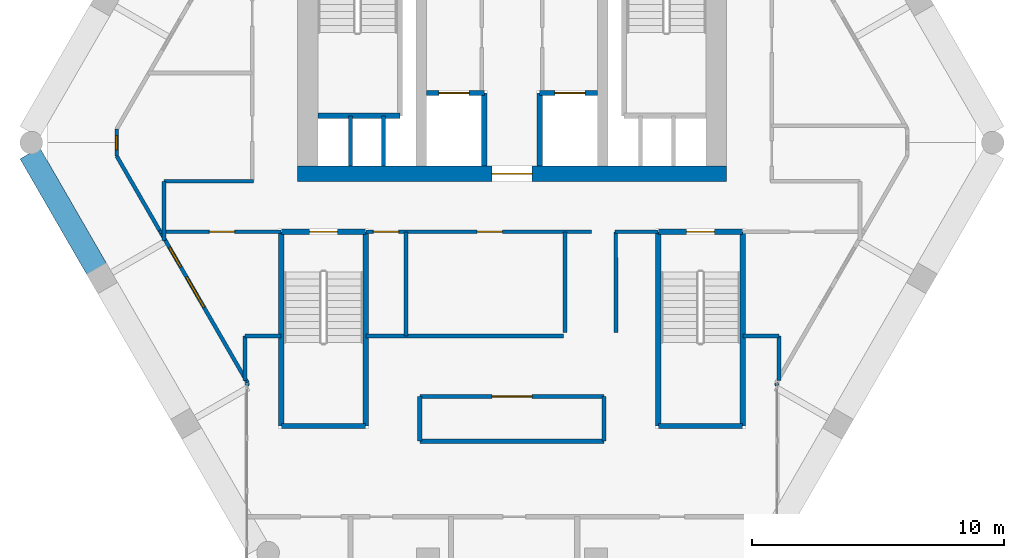
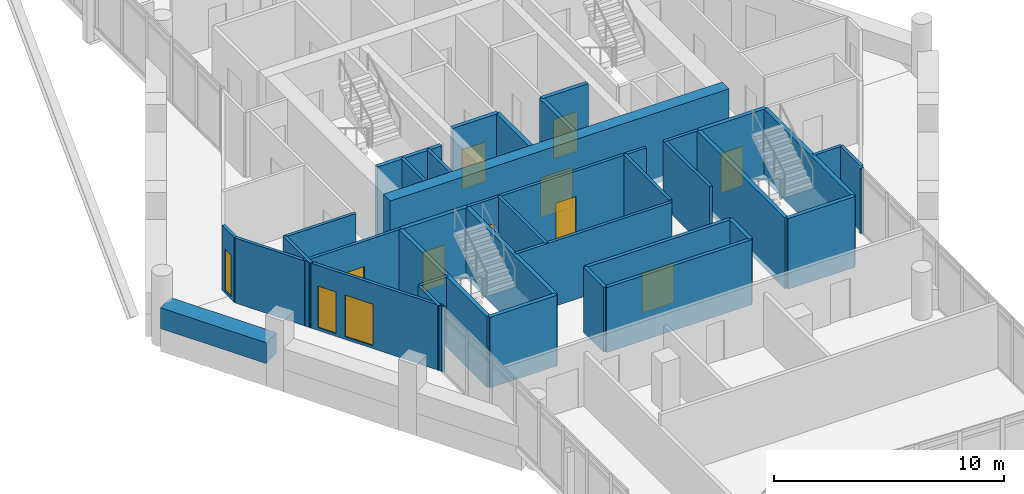
# One storey, part 29 of 34: 38 walls, 9 doors, 3 windows, 12 openings.
"""IFC4 building model written with IfcOpenShell, lengths in metres."""

import ifcopenshell
import ifcopenshell.guid

model = None  # the IFC model being written
_history = None  # IfcOwnerHistory: only IFC2X3 demands one
_inside = {}  # id of a spatial element -> (the spatial element, [elements in it])
_under = {}  # id of a project, library or spatial element -> (it, [spatial elements below it])
_declared = {}  # id of a project -> (the project, [libraries it declares])
_typed = {}  # id of a type object -> (the type object, [elements of that type])
_made_of = {}  # id of a material, layer set ... -> (it, [elements and type objects made of it])


def new_model(schema):
    """Start an empty IFC model of exactly this schema.

    Asked for "IFC4X3", IfcOpenShell would pick the latest addendum, in which some entities
    have other attributes; the version numbers below select the first issue.
    IFC2X3 requires an IfcOwnerHistory on every rooted entity: one is made here for all.
    """
    global model, _history
    if schema == "IFC4X3":
        model = ifcopenshell.file(schema_version=(4, 3, 0, 0))
    else:
        model = ifcopenshell.file(schema=schema)
    _inside.clear()
    _under.clear()
    _declared.clear()
    _typed.clear()
    _made_of.clear()
    _history = None
    if model.schema == "IFC2X3":
        org = make("IfcOrganization", Name="unknown")
        user = make(
            "IfcPersonAndOrganization",
            ThePerson=make("IfcPerson", FamilyName="unknown"),
            TheOrganization=org,
        )
        app = make(
            "IfcApplication",
            ApplicationDeveloper=org,
            Version="unknown",
            ApplicationFullName="unknown",
            ApplicationIdentifier="unknown",
        )
        _history = make(
            "IfcOwnerHistory",
            OwningUser=user,
            OwningApplication=app,
            ChangeAction="ADDED",
            CreationDate=0,
        )
    return model


def make(cls, **values):
    """One entity of the class cls with the attributes given. An attribute that is None is left unset."""
    return model.create_entity(
        cls, **{name: value for name, value in values.items() if value is not None}
    )


def rooted(cls, **values):
    """An entity with a GlobalId (a new one), such as an element, a storey or a relation."""
    return make(cls, GlobalId=ifcopenshell.guid.new(), OwnerHistory=_history, **values)


def si_unit(unit_type, name, prefix=None):
    """IfcSIUnit, for example si_unit("LENGTHUNIT", "METRE", prefix="MILLI")."""
    return make("IfcSIUnit", UnitType=unit_type, Prefix=prefix, Name=name)


def assignment(units):
    """IfcUnitAssignment: the units of a project."""
    return None if units is None else make("IfcUnitAssignment", Units=units)


def point(xyz):
    """IfcCartesianPoint."""
    return None if xyz is None else make("IfcCartesianPoint", Coordinates=xyz)


def direction(xyz):
    """IfcDirection."""
    return None if xyz is None else make("IfcDirection", DirectionRatios=xyz)


def frame(location, z_axis=None, x_axis=None):
    """IfcAxis2Placement3D, a coordinate frame: its origin and axes. An axis left out is left unset."""
    return make(
        "IfcAxis2Placement3D",
        Location=point(location),
        Axis=direction(z_axis),
        RefDirection=direction(x_axis),
    )


def frame_2d(location, x_axis=None):
    """IfcAxis2Placement2D, a coordinate frame in the plane: its origin and x axis."""
    return make(
        "IfcAxis2Placement2D", Location=point(location), RefDirection=direction(x_axis)
    )


def origin():
    """The frame at (0, 0, 0) with its axes left unset."""
    return frame((0.0, 0.0, 0.0))


def place(relative_to, where):
    """IfcLocalPlacement: puts the frame where relative to a parent placement (None: the world)."""
    return make(
        "IfcLocalPlacement", PlacementRelTo=relative_to, RelativePlacement=where
    )


def context(
    kind, dimensions, precision=None, world=None, true_north=None, identifier=None
):
    """IfcGeometricRepresentationContext, for example the 3D "Model" context."""
    return make(
        "IfcGeometricRepresentationContext",
        ContextIdentifier=identifier,
        ContextType=kind,
        CoordinateSpaceDimension=dimensions,
        Precision=precision,
        WorldCoordinateSystem=world,
        TrueNorth=true_north,
    )


def subcontext(parent, identifier, kind, view, scale=None):
    """IfcGeometricRepresentationSubContext, for example "Body" below "Model"."""
    return make(
        "IfcGeometricRepresentationSubContext",
        ContextIdentifier=identifier,
        ContextType=kind,
        ParentContext=parent,
        TargetScale=scale,
        TargetView=view,
    )


def project(units=None, contexts=None):
    """IfcProject with its units and contexts."""
    return rooted(
        "IfcProject",
        Name="project",
        RepresentationContexts=contexts,
        UnitsInContext=assignment(units),
    )


def spatial(cls, under=None, at=None, **own):
    """A site, building, storey or space (cls), placed at a placement, below another one or the project."""
    s = rooted(cls, ObjectPlacement=at, **own)
    if under is not None:
        _under.setdefault(under.id(), (under, []))[1].append(s)
    return s


def profile(cls, at=None, kind="AREA", **sizes):
    """A parametric profile (cls). Its sizes go by their IFC names, for example OverallWidth=200.0."""
    return make(cls, ProfileType=kind, Position=at, **sizes)


def rectangle(**sizes):
    """IfcRectangleProfileDef."""
    return profile("IfcRectangleProfileDef", **sizes)


def extrude(swept, where, along, depth):
    """IfcExtrudedAreaSolid: the profile swept, set in the frame where, extruded along a direction by depth."""
    return make(
        "IfcExtrudedAreaSolid",
        SweptArea=swept,
        Position=where,
        ExtrudedDirection=direction(along),
        Depth=depth,
    )


def shape(context_of_items, identifier, shape_type, items):
    """IfcShapeRepresentation: the items that make up one representation, for example the "Body"."""
    return make(
        "IfcShapeRepresentation",
        ContextOfItems=context_of_items,
        RepresentationIdentifier=identifier,
        RepresentationType=shape_type,
        Items=items,
    )


def material(Name=None, Category=None):
    """IfcMaterial."""
    return make("IfcMaterial", Name=Name, Category=Category)


def layer(
    of_material, thickness, ventilated=None, Name=None, Category=None, Priority=None
):
    """IfcMaterialLayer: one layer of a wall or slab, of a material (None: an air gap)."""
    return make(
        "IfcMaterialLayer",
        Material=of_material,
        LayerThickness=thickness,
        IsVentilated=ventilated,
        Name=Name,
        Category=Category,
        Priority=Priority,
    )


def layer_set(layers, Name=None):
    """IfcMaterialLayerSet."""
    return make("IfcMaterialLayerSet", MaterialLayers=layers, LayerSetName=Name)


def made_of(thing, what):
    """Note that an element or type object is made of a material, layer set ...; save() writes the relation."""
    if what is not None:
        _made_of.setdefault(what.id(), (what, []))[1].append(thing)
    return thing


def type_object(cls, material=None, **own):
    """A type object (cls), such as IfcWallType, which elements share."""
    return made_of(rooted(cls, **own), material)


def element(
    cls,
    number,
    at=None,
    inside=None,
    cuts=None,
    type_object=None,
    material=None,
    context=None,
    identifier="Body",
    shape_type=None,
    held_by="IfcProductDefinitionShape",
    body=None,
    shapes=None,
    **own,
):
    """One element of the class cls, such as IfcWall. Its Tag is "e" and its number.

    at: its placement. inside: the storey or other place that contains it. cuts: it is an
    opening in that element (IfcRelVoidsElement). A single representation is given by context,
    identifier, shape_type and body (its items); several are given by shapes. held_by: the class
    of the entity that holds the representations. save() writes the other relations.
    """
    e = rooted(cls, Tag="e%d" % number, ObjectPlacement=at, **own)
    if body is not None:
        shapes = [shape(context, identifier, shape_type, body)]
    if shapes is not None:
        e.Representation = make(held_by, Representations=shapes)
    if inside is not None:
        _inside.setdefault(inside.id(), (inside, []))[1].append(e)
    if cuts is not None:
        rooted(
            "IfcRelVoidsElement", RelatingBuildingElement=cuts, RelatedOpeningElement=e
        )
    if type_object is not None:
        _typed.setdefault(type_object.id(), (type_object, []))[1].append(e)
    return made_of(e, material)


def fill(opening, filler):
    """IfcRelFillsElement: the door or window that sits in an opening."""
    return rooted(
        "IfcRelFillsElement",
        RelatingOpeningElement=opening,
        RelatedBuildingElement=filler,
    )


def aggregate(whole, parts):
    """IfcRelAggregates: a whole, such as a stair, and the parts it consists of."""
    return rooted("IfcRelAggregates", RelatingObject=whole, RelatedObjects=parts)


def save(model, path):
    """Write the relations noted so far, then the file.

    IfcRelAggregates (storeys below a building ...), IfcRelContainedInSpatialStructure (elements
    in a storey), IfcRelDefinesByType, IfcRelAssociatesMaterial and IfcRelDeclares: one each for
    every whole, place, type object, material and project.
    """
    for whole, parts in _under.values():
        aggregate(whole, parts)
    for where, things in _inside.values():
        rooted(
            "IfcRelContainedInSpatialStructure",
            RelatedElements=things,
            RelatingStructure=where,
        )
    for kind, things in _typed.values():
        rooted("IfcRelDefinesByType", RelatedObjects=things, RelatingType=kind)
    for what, things in _made_of.values():
        rooted("IfcRelAssociatesMaterial", RelatedObjects=things, RelatingMaterial=what)
    for by, libraries in _declared.values():
        rooted("IfcRelDeclares", RelatingContext=by, RelatedDefinitions=libraries)
    model.write(path)


model = new_model("IFC4")

# Units and contexts
model_context = context("Model", 3, precision=1e-05, world=origin(), true_north=direction((0.0, 1.0)))
body_context = subcontext(model_context, "Body", "Model", "MODEL_VIEW")
ifc_project = project(units=[si_unit("LENGTHUNIT", "METRE"), si_unit("AREAUNIT", "SQUARE_METRE"), si_unit("VOLUMEUNIT", "CUBIC_METRE"), si_unit("PLANEANGLEUNIT", "RADIAN"), si_unit("MASSUNIT", "GRAM", prefix="KILO")], contexts=[model_context])

# Site, building, storey
site_placement = place(None, origin())
site = spatial("IfcSite", under=ifc_project, at=site_placement, CompositionType="ELEMENT")
building_placement = place(site_placement, origin())
building = spatial("IfcBuilding", under=site, at=building_placement, Name="Ostrander Bayou Hotel Tower", CompositionType="ELEMENT")
storey_placement = place(building_placement, frame((0.0, 0.0, 222.0)))
storey = spatial("IfcBuildingStorey", under=building, at=storey_placement, Name="L55", CompositionType="ELEMENT", Elevation=222.0)

# Wall, opening, door
ifc_material_1 = material(Name="Concrete f'c 60 MPa", Category="concrete")
ifc_layer_1 = layer(ifc_material_1, 0.60009765625)
ifc_layer_set_1 = layer_set([ifc_layer_1], Name="CW10 core wall 600 mm f'c 60 MPa")
wall_type_1 = type_object("IfcWallType", Name="CW10 core wall 600 mm f'c 60 MPa", PredefinedType="SHEAR", material=ifc_layer_set_1)
wall_1_placement = place(storey_placement, frame((-8.5, -1.39990234375, -0.300048828125), z_axis=(0.0, 0.0, 1.0), x_axis=(1.0, 0.0, 0.0)))
wall_1 = element("IfcWall", 1, at=wall_1_placement, inside=storey, type_object=wall_type_1, Name="CW10 L55 S", PredefinedType="SHEAR", context=body_context, shape_type="SweptSolid", body=[
    extrude(rectangle(XDim=17.0, YDim=0.60009765625, at=frame_2d((8.5, 0.0))), origin(), (0.0, 0.0, 1.0), 3.75),
])
opening_1_placement = place(wall_1_placement, frame((7.699951171875, 0.0, 0.0)))
opening_1 = element("IfcOpeningElement", 2, at=opening_1_placement, cuts=wall_1, Name="Opening T55-005", PredefinedType="OPENING", context=body_context, shape_type="SweptSolid", body=[
    extrude(rectangle(XDim=1.60009765625, YDim=2.10009765625, at=frame_2d((0.800048828125, 1.050048828125))), frame((0.0, 0.300048828125, 0.0), z_axis=(0.0, -1.0, 0.0), x_axis=(1.0, 0.0, 0.0)), (0.0, 0.0, 1.0), 0.60009765625),
])
ifc_material_2 = material(Name="Timber door leaf", Category="wood")
door_type_1 = type_object("IfcDoorType", Name="D13 double door 1600 x 2100 mm, 1 hour", OperationType="SINGLE_SWING_LEFT", PredefinedType="DOOR", material=ifc_material_2)
door_1_placement = place(opening_1_placement, origin())
door_1 = element("IfcDoor", 3, at=door_1_placement, inside=storey, type_object=door_type_1, Name="dr:L55:005", OperationType="DOUBLE_DOOR_SINGLE_SWING", OverallHeight=2.10009765625, OverallWidth=1.60009765625, PredefinedType="DOOR", context=body_context, shape_type="SweptSolid", body=[
    extrude(rectangle(XDim=1.60009765625, YDim=2.10009765625, at=frame_2d((0.800048828125, 1.050048828125))), frame((0.0, 0.02490234375, 0.0), z_axis=(0.0, -1.0, 0.0), x_axis=(1.0, 0.0, 0.0)), (0.0, 0.0, 1.0), 0.050048828125),
])
fill(opening_1, door_1)

# Wall, openings, windows
ifc_material_3 = material(Name="Aluminium framed insulated wall", Category="aluminium")
ifc_layer_2 = layer(ifc_material_3, 0.14990234375)
ifc_layer_set_2 = layer_set([ifc_layer_2], Name="GW1 glass-line wall 150 mm")
wall_type_2 = type_object("IfcWallType", Name="GW1 glass-line wall 150 mm", PredefinedType="SOLIDWALL", material=ifc_layer_set_2)
wall_2_placement = place(storey_placement, frame((-15.67724609375, -0.6962890625, 0.0), z_axis=(0.0, 0.0, 1.0), x_axis=(0.49999822861, -0.866026426494, 0.0)))
wall_2 = element("IfcWall", 4, at=wall_2_placement, inside=storey, type_object=wall_type_2, Name="GW1 L55 SW 1", PredefinedType="SOLIDWALL", context=body_context, shape_type="SweptSolid", body=[
    extrude(rectangle(XDim=10.396484375, YDim=0.14990234375, at=frame_2d((5.1982421875, 0.0))), origin(), (0.0, 0.0, 1.0), 3.449951171875),
])
opening_2_placement = place(wall_2_placement, frame((4.182861328125, 0.0, 0.14990234375)))
opening_2 = element("IfcOpeningElement", 5, at=opening_2_placement, cuts=wall_2, Name="Opening W18", PredefinedType="OPENING", context=body_context, shape_type="SweptSolid", body=[
    extrude(rectangle(XDim=0.89990234375, YDim=2.199951171875, at=frame_2d((0.449951171875, 1.10009765625))), frame((0.0, 0.074951171875, 0.0), z_axis=(0.0, -1.0, 0.0), x_axis=(1.0, 0.0, 0.0)), (0.0, 0.0, 1.0), 0.14990234375),
])
opening_3_placement = place(wall_2_placement, frame((5.535888671875, 0.0, 0.14990234375)))
opening_3 = element("IfcOpeningElement", 6, at=opening_3_placement, cuts=wall_2, Name="Opening W14", PredefinedType="OPENING", context=body_context, shape_type="SweptSolid", body=[
    extrude(rectangle(XDim=1.39990234375, YDim=2.199951171875, at=frame_2d((0.699951171875, 1.10009765625))), frame((0.0, 0.074951171875, 0.0), z_axis=(0.0, -1.0, 0.0), x_axis=(1.0, 0.0, 0.0)), (0.0, 0.0, 1.0), 0.14990234375),
])
ifc_material_4 = material(Name="Aluminium and clear glass", Category="aluminium")
window_type_1 = type_object("IfcWindowType", Name="W14 fixed window 1400 mm, bath bay, zone 4", PartitioningType="SINGLE_PANEL", PredefinedType="WINDOW", material=ifc_material_4)
window_1_placement = place(opening_3_placement, origin())
window_1 = element("IfcWindow", 7, at=window_1_placement, inside=storey, type_object=window_type_1, Name="W14 L55 SW 1", OverallHeight=2.199951171875, OverallWidth=1.39990234375, PartitioningType="SINGLE_PANEL", PredefinedType="WINDOW", context=body_context, shape_type="SweptSolid", body=[
    extrude(rectangle(XDim=1.39990234375, YDim=2.199951171875, at=frame_2d((0.699951171875, 1.10009765625))), frame((0.0, 0.030029296875, 0.0), z_axis=(0.0, -1.0, 0.0), x_axis=(1.0, 0.0, 0.0)), (0.0, 0.0, 1.0), 0.06005859375),
])
fill(opening_3, window_1)
ifc_material_5 = material(Name="Aluminium and clear glass", Category="aluminium")
window_type_2 = type_object("IfcWindowType", Name="W18 window 900 mm, zone 4", PartitioningType="SINGLE_PANEL", PredefinedType="WINDOW", material=ifc_material_5)
window_2_placement = place(opening_2_placement, origin())
window_2 = element("IfcWindow", 8, at=window_2_placement, inside=storey, type_object=window_type_2, Name="W18 L55 SW 1", OverallHeight=2.199951171875, OverallWidth=0.89990234375, PartitioningType="SINGLE_PANEL", PredefinedType="WINDOW", context=body_context, shape_type="SweptSolid", body=[
    extrude(rectangle(XDim=0.89990234375, YDim=2.199951171875, at=frame_2d((0.449951171875, 1.10009765625))), frame((0.0, 0.030029296875, 0.0), z_axis=(0.0, -1.0, 0.0), x_axis=(1.0, 0.0, 0.0)), (0.0, 0.0, 1.0), 0.06005859375),
])
fill(opening_2, window_2)

# Wall, opening, window
wall_3_placement = place(storey_placement, frame((-15.67724609375, 0.368896484375, 0.0), z_axis=(0.0, 0.0, 1.0), x_axis=(0.0, -1.0, 0.0)))
wall_3 = element("IfcWall", 9, at=wall_3_placement, inside=storey, type_object=wall_type_2, Name="GW1 L55 corner 2", PredefinedType="SOLIDWALL", context=body_context, shape_type="SweptSolid", body=[
    extrude(rectangle(XDim=1.065185546875, YDim=0.14990234375, at=frame_2d((0.53271484375, 0.0))), origin(), (0.0, 0.0, 1.0), 3.449951171875),
])
opening_4_placement = place(wall_3_placement, frame((0.257568359375, 0.0, 0.14990234375)))
opening_4 = element("IfcOpeningElement", 10, at=opening_4_placement, cuts=wall_3, Name="Opening W19", PredefinedType="OPENING", context=body_context, shape_type="SweptSolid", body=[
    extrude(rectangle(XDim=0.550048828125, YDim=2.199951171875, at=frame_2d((0.27490234375, 1.10009765625))), frame((0.0, 0.074951171875, 0.0), z_axis=(0.0, -1.0, 0.0), x_axis=(1.0, 0.0, 0.0)), (0.0, 0.0, 1.0), 0.14990234375),
])
ifc_material_6 = material(Name="Aluminium and clear glass", Category="aluminium")
window_type_3 = type_object("IfcWindowType", Name="W19 corner window 550 mm", PartitioningType="SINGLE_PANEL", PredefinedType="WINDOW", material=ifc_material_6)
window_3_placement = place(opening_4_placement, origin())
window_3 = element("IfcWindow", 11, at=window_3_placement, inside=storey, type_object=window_type_3, Name="W19 L55 corner 2", OverallHeight=2.199951171875, OverallWidth=0.550048828125, PartitioningType="SINGLE_PANEL", PredefinedType="WINDOW", context=body_context, shape_type="SweptSolid", body=[
    extrude(rectangle(XDim=0.550048828125, YDim=2.199951171875, at=frame_2d((0.27490234375, 1.10009765625))), frame((0.0, 0.030029296875, 0.0), z_axis=(0.0, -1.0, 0.0), x_axis=(1.0, 0.0, 0.0)), (0.0, 0.0, 1.0), 0.06005859375),
])
fill(opening_4, window_3)

# Walls
for number, where, z_axis, x_axis, name in (
    (12, (-10.47900390625, -9.699951171875, 0.0), (0.0, 0.0, 1.0), (-0.338543167143, -0.940950861619, 0.0), "GW1 L55 bar joint 2"),
    (13, (10.47900390625, -9.699951171875, 0.0), (0.0, 0.0, 1.0), (0.338543167143, -0.940950861619, 0.0), "GW1 L55 bar joint 3"),
):
    element("IfcWall", number, at=place(storey_placement, frame(where, z_axis=z_axis, x_axis=x_axis)), inside=storey, type_object=wall_type_2, Name=name, PredefinedType="SOLIDWALL", context=body_context, shape_type="SweptSolid", body=[
        extrude(rectangle(XDim=0.09814453125, YDim=0.14990234375, at=frame_2d((0.049072265625, 0.0))), origin(), (0.0, 0.0, 1.0), 3.449951171875),
    ])
ifc_material_7 = material(Name="Limestone masonry", Category="masonry")
ifc_layer_3 = layer(ifc_material_7, 0.89990234375)
ifc_layer_set_3 = layer_set([ifc_layer_3], Name="PA2 limestone parapet 900 mm")
wall_type_3 = type_object("IfcWallType", Name="PA2 limestone parapet 900 mm", PredefinedType="PARAPET", material=ifc_layer_set_3)
wall_4_placement = place(storey_placement, frame((-19.11865234375, -0.585693359375, 0.0), z_axis=(0.0, 0.0, 1.0), x_axis=(0.500001430823, -0.866024577697, 0.0)))
element("IfcWall", 14, at=wall_4_placement, inside=storey, type_object=wall_type_3, Name="PA2 L55 SW-1", PredefinedType="PARAPET", context=body_context, shape_type="SweptSolid", body=[
    extrude(rectangle(XDim=5.302734375, YDim=0.89990234375, at=frame_2d((2.6513671875, 0.0))), origin(), (0.0, 0.0, 1.0), 1.10009765625),
])
ifc_material_8 = material(Name="Gypsum board partition", Category="finish")
ifc_layer_4 = layer(ifc_material_8, 0.175048828125)
ifc_layer_set_4 = layer_set([ifc_layer_4], Name="PT4 corridor wall 175 mm, 1 hour")
wall_type_4 = type_object("IfcWallType", Name="PT4 corridor wall 175 mm, 1 hour", PredefinedType="PARTITIONING", material=ifc_layer_set_4)
wall_5_placement = place(storey_placement, frame((-3.64990234375, -12.0, 0.0), z_axis=(0.0, 0.0, 1.0), x_axis=(1.0, 0.0, 0.0)))
element("IfcWall", 15, at=wall_5_placement, inside=storey, type_object=wall_type_4, Name="sw:L55:501", PredefinedType="PARTITIONING", context=body_context, shape_type="SweptSolid", body=[
    extrude(rectangle(XDim=7.2998046875, YDim=0.175048828125, at=frame_2d((3.64990234375, 0.0))), origin(), (0.0, 0.0, 1.0), 3.449951171875),
])

# Wall, opening, door
wall_6_placement = place(storey_placement, frame((-3.64990234375, -10.23291015625, 0.0), z_axis=(0.0, 0.0, 1.0), x_axis=(1.0, 0.0, 0.0)))
wall_6 = element("IfcWall", 16, at=wall_6_placement, inside=storey, type_object=wall_type_4, Name="sw:L55:502", PredefinedType="PARTITIONING", context=body_context, shape_type="SweptSolid", body=[
    extrude(rectangle(XDim=7.2998046875, YDim=0.175048828125, at=frame_2d((3.64990234375, 0.0))), origin(), (0.0, 0.0, 1.0), 3.449951171875),
])
opening_5_placement = place(wall_6_placement, frame((2.85009765625, 0.0, 0.0)))
opening_5 = element("IfcOpeningElement", 17, at=opening_5_placement, cuts=wall_6, Name="Opening T55-1200", PredefinedType="OPENING", context=body_context, shape_type="SweptSolid", body=[
    extrude(rectangle(XDim=1.60009765625, YDim=2.10009765625, at=frame_2d((0.800048828125, 1.050048828125))), frame((0.0, 0.08740234375, 0.0), z_axis=(0.0, -1.0, 0.0), x_axis=(1.0, 0.0, 0.0)), (0.0, 0.0, 1.0), 0.175048828125),
])
door_2_placement = place(opening_5_placement, origin())
door_2 = element("IfcDoor", 18, at=door_2_placement, inside=storey, type_object=door_type_1, Name="dr:L55:1200", OperationType="DOUBLE_DOOR_SINGLE_SWING", OverallHeight=2.10009765625, OverallWidth=1.60009765625, PredefinedType="DOOR", context=body_context, shape_type="SweptSolid", body=[
    extrude(rectangle(XDim=1.60009765625, YDim=2.10009765625, at=frame_2d((0.800048828125, 1.050048828125))), frame((0.0, 0.02490234375, 0.0), z_axis=(0.0, -1.0, 0.0), x_axis=(1.0, 0.0, 0.0)), (0.0, 0.0, 1.0), 0.050048828125),
])
fill(opening_5, door_2)

# Walls
for number, where, z_axis, x_axis, name in (
    (19, (-3.64990234375, -12.0, 0.0), (0.0, 0.0, 1.0), (0.0, 1.0, 0.0), "sw:L55:508"),
    (20, (3.64990234375, -12.0, 0.0), (0.0, 0.0, 1.0), (0.0, 1.0, 0.0), "sw:L55:509"),
):
    element("IfcWall", number, at=place(storey_placement, frame(where, z_axis=z_axis, x_axis=x_axis)), inside=storey, type_object=wall_type_4, Name=name, PredefinedType="PARTITIONING", context=body_context, shape_type="SweptSolid", body=[
        extrude(rectangle(XDim=1.7666015625, YDim=0.175048828125, at=frame_2d((0.88330078125, 0.0))), origin(), (0.0, 0.0, 1.0), 3.449951171875),
    ])

# Wall, opening, door
ifc_material_9 = material(Name="Masonry block", Category="masonry")
ifc_layer_5 = layer(ifc_material_9, 0.199951171875)
ifc_layer_set_5 = layer_set([ifc_layer_5], Name="PT6 lift shaft wall 200 mm masonry, 2 hour")
wall_type_5 = type_object("IfcWallType", Name="PT6 lift shaft wall 200 mm masonry, 2 hour", PredefinedType="PARTITIONING", material=ifc_layer_set_5)
wall_7_placement = place(storey_placement, frame((-3.39990234375, 1.800048828125, 0.0), z_axis=(0.0, 0.0, 1.0), x_axis=(1.0, 0.0, 0.0)))
wall_7 = element("IfcWall", 21, at=wall_7_placement, inside=storey, type_object=wall_type_5, Name="cs:L55:001", PredefinedType="PARTITIONING", context=body_context, shape_type="SweptSolid", body=[
    extrude(rectangle(XDim=2.2998046875, YDim=0.199951171875, at=frame_2d((1.14990234375, 0.0))), origin(), (0.0, 0.0, 1.0), 3.449951171875),
])
opening_6_placement = place(wall_7_placement, frame((0.5, 0.0, 0.0)))
opening_6 = element("IfcOpeningElement", 22, at=opening_6_placement, cuts=wall_7, Name="Opening T55-001", PredefinedType="OPENING", context=body_context, shape_type="SweptSolid", body=[
    extrude(rectangle(XDim=1.199951171875, YDim=2.10009765625, at=frame_2d((0.60009765625, 1.050048828125))), frame((0.0, 0.10009765625, 0.0), z_axis=(0.0, -1.0, 0.0), x_axis=(1.0, 0.0, 0.0)), (0.0, 0.0, 1.0), 0.199951171875),
])
ifc_material_10 = material(Name="Stainless steel sliding door", Category="steel")
door_type_2 = type_object("IfcDoorType", Name="LD1 lift landing door 1200 x 2100 mm", OperationType="SINGLE_SWING_LEFT", PredefinedType="DOOR", material=ifc_material_10)
door_3_placement = place(opening_6_placement, origin())
door_3 = element("IfcDoor", 23, at=door_3_placement, inside=storey, type_object=door_type_2, Name="dr:L55:001", OperationType="SLIDING_TO_LEFT", OverallHeight=2.10009765625, OverallWidth=1.199951171875, PredefinedType="DOOR", context=body_context, shape_type="SweptSolid", body=[
    extrude(rectangle(XDim=1.199951171875, YDim=2.10009765625, at=frame_2d((0.60009765625, 1.050048828125))), frame((0.0, 0.02490234375, 0.0), z_axis=(0.0, -1.0, 0.0), x_axis=(1.0, 0.0, 0.0)), (0.0, 0.0, 1.0), 0.050048828125),
])
fill(opening_6, door_3)

wall_8_placement = place(storey_placement, frame((1.10009765625, 1.800048828125, 0.0), z_axis=(0.0, 0.0, 1.0), x_axis=(1.0, 0.0, 0.0)))
wall_8 = element("IfcWall", 24, at=wall_8_placement, inside=storey, type_object=wall_type_5, Name="cs:L55:003", PredefinedType="PARTITIONING", context=body_context, shape_type="SweptSolid", body=[
    extrude(rectangle(XDim=2.2998046875, YDim=0.199951171875, at=frame_2d((1.14990234375, 0.0))), origin(), (0.0, 0.0, 1.0), 3.449951171875),
])
opening_7_placement = place(wall_8_placement, frame((0.60009765625, 0.0, 0.0)))
opening_7 = element("IfcOpeningElement", 25, at=opening_7_placement, cuts=wall_8, Name="Opening T55-002", PredefinedType="OPENING", context=body_context, shape_type="SweptSolid", body=[
    extrude(rectangle(XDim=1.199951171875, YDim=2.10009765625, at=frame_2d((0.60009765625, 1.050048828125))), frame((0.0, 0.10009765625, 0.0), z_axis=(0.0, -1.0, 0.0), x_axis=(1.0, 0.0, 0.0)), (0.0, 0.0, 1.0), 0.199951171875),
])
door_4_placement = place(opening_7_placement, origin())
door_4 = element("IfcDoor", 26, at=door_4_placement, inside=storey, type_object=door_type_2, Name="dr:L55:002", OperationType="SLIDING_TO_LEFT", OverallHeight=2.10009765625, OverallWidth=1.199951171875, PredefinedType="DOOR", context=body_context, shape_type="SweptSolid", body=[
    extrude(rectangle(XDim=1.199951171875, YDim=2.10009765625, at=frame_2d((0.60009765625, 1.050048828125))), frame((0.0, 0.02490234375, 0.0), z_axis=(0.0, -1.0, 0.0), x_axis=(1.0, 0.0, 0.0)), (0.0, 0.0, 1.0), 0.050048828125),
])
fill(opening_7, door_4)

# Walls
for number, where, z_axis, x_axis, name in (
    (27, (-1.10009765625, -1.10009765625, 0.0), (0.0, 0.0, 1.0), (0.0, 1.0, 0.0), "cs:L55:005"),
    (28, (1.10009765625, -1.10009765625, 0.0), (0.0, 0.0, 1.0), (0.0, 1.0, 0.0), "cs:L55:006"),
):
    element("IfcWall", number, at=place(storey_placement, frame(where, z_axis=z_axis, x_axis=x_axis)), inside=storey, type_object=wall_type_5, Name=name, PredefinedType="PARTITIONING", context=body_context, shape_type="SweptSolid", body=[
        extrude(rectangle(XDim=2.900146484375, YDim=0.199951171875, at=frame_2d((1.4501953125, 0.0))), origin(), (0.0, 0.0, 1.0), 3.449951171875),
    ])
ifc_material_11 = material(Name="Gypsum board partition", Category="finish")
ifc_layer_6 = layer(ifc_material_11, 0.14990234375)
ifc_layer_set_6 = layer_set([ifc_layer_6], Name="PT7 riser wall 150 mm, 2 hour")
wall_type_6 = type_object("IfcWallType", Name="PT7 riser wall 150 mm, 2 hour", PredefinedType="PARTITIONING", material=ifc_layer_set_6)
for number, where, z_axis, x_axis, name in (
    (29, (-6.39990234375, -1.10009765625, 0.0), (0.0, 0.0, 1.0), (0.0, 1.0, 0.0), "cs:L55:011"),
    (30, (-5.10009765625, -1.10009765625, 0.0), (0.0, 0.0, 1.0), (0.0, 1.0, 0.0), "cs:L55:012"),
):
    element("IfcWall", number, at=place(storey_placement, frame(where, z_axis=z_axis, x_axis=x_axis)), inside=storey, type_object=wall_type_6, Name=name, PredefinedType="PARTITIONING", context=body_context, shape_type="SweptSolid", body=[
        extrude(rectangle(XDim=2.0, YDim=0.14990234375, at=frame_2d((1.0, 0.0))), origin(), (0.0, 0.0, 1.0), 3.449951171875),
    ])
ifc_material_12 = material(Name="Gypsum board partition", Category="finish")
ifc_layer_7 = layer(ifc_material_12, 0.14990234375)
ifc_layer_set_7 = layer_set([ifc_layer_7], Name="PT8 service band wall 150 mm, 1 hour")
wall_type_7 = type_object("IfcWallType", Name="PT8 service band wall 150 mm, 1 hour", PredefinedType="PARTITIONING", material=ifc_layer_set_7)
wall_9_placement = place(storey_placement, frame((-10.5849609375, -7.8349609375, 0.0), z_axis=(0.0, 0.0, 1.0), x_axis=(1.0, 0.0, 0.0)))
element("IfcWall", 31, at=wall_9_placement, inside=storey, type_object=wall_type_7, Name="gw:L55:001", PredefinedType="PARTITIONING", context=body_context, shape_type="SweptSolid", body=[
    extrude(rectangle(XDim=1.425048828125, YDim=0.14990234375, at=frame_2d((0.71240234375, 0.0))), origin(), (0.0, 0.0, 1.0), 3.449951171875),
])
wall_10_placement = place(storey_placement, frame((-5.7900390625, -7.8349609375, 0.0), z_axis=(0.0, 0.0, 1.0), x_axis=(1.0, 0.0, 0.0)))
element("IfcWall", 32, at=wall_10_placement, inside=storey, type_object=wall_type_7, Name="gw:L55:002", PredefinedType="PARTITIONING", context=body_context, shape_type="SweptSolid", body=[
    extrude(rectangle(XDim=7.840087890625, YDim=0.14990234375, at=frame_2d((3.919921875, 0.0))), origin(), (0.0, 0.0, 1.0), 3.449951171875),
])
wall_11_placement = place(storey_placement, frame((9.159912109375, -7.8349609375, 0.0), z_axis=(0.0, 0.0, 1.0), x_axis=(1.0, 0.0, 0.0)))
element("IfcWall", 33, at=wall_11_placement, inside=storey, type_object=wall_type_7, Name="gw:L55:003", PredefinedType="PARTITIONING", context=body_context, shape_type="SweptSolid", body=[
    extrude(rectangle(XDim=1.425048828125, YDim=0.14990234375, at=frame_2d((0.71240234375, 0.0))), origin(), (0.0, 0.0, 1.0), 3.449951171875),
])

# Wall, opening, door
wall_12_placement = place(storey_placement, frame((-13.9951171875, -3.699951171875, 0.0), z_axis=(0.0, 0.0, 1.0), x_axis=(1.0, 0.0, 0.0)))
wall_12 = element("IfcWall", 34, at=wall_12_placement, inside=storey, type_object=wall_type_7, Name="gw:L55:004", PredefinedType="PARTITIONING", context=body_context, shape_type="SweptSolid", body=[
    extrude(rectangle(XDim=4.835205078125, YDim=0.14990234375, at=frame_2d((2.41748046875, 0.0))), origin(), (0.0, 0.0, 1.0), 3.449951171875),
])
opening_8_placement = place(wall_12_placement, frame((1.9951171875, 0.0, 0.0)))
opening_8 = element("IfcOpeningElement", 35, at=opening_8_placement, cuts=wall_12, Name="Opening T55-402", PredefinedType="OPENING", context=body_context, shape_type="SweptSolid", body=[
    extrude(rectangle(XDim=1.0, YDim=2.10009765625, at=frame_2d((0.5, 1.050048828125))), frame((0.0, 0.074951171875, 0.0), z_axis=(0.0, -1.0, 0.0), x_axis=(1.0, 0.0, 0.0)), (0.0, 0.0, 1.0), 0.14990234375),
])
ifc_material_13 = material(Name="Timber door leaf", Category="wood")
door_type_3 = type_object("IfcDoorType", Name="D9 service door 1000 x 2100 mm, 30 minute", OperationType="SINGLE_SWING_LEFT", PredefinedType="DOOR", material=ifc_material_13)
door_5_placement = place(opening_8_placement, origin())
door_5 = element("IfcDoor", 36, at=door_5_placement, inside=storey, type_object=door_type_3, Name="dr:L55:402", OperationType="SINGLE_SWING_RIGHT", OverallHeight=2.10009765625, OverallWidth=1.0, PredefinedType="DOOR", context=body_context, shape_type="SweptSolid", body=[
    extrude(rectangle(XDim=1.0, YDim=2.10009765625, at=frame_2d((0.5, 1.050048828125))), frame((0.0, 0.02490234375, 0.0), z_axis=(0.0, -1.0, 0.0), x_axis=(1.0, 0.0, 0.0)), (0.0, 0.0, 1.0), 0.050048828125),
])
fill(opening_8, door_5)

# Wall, openings, doors
wall_13_placement = place(storey_placement, frame((-5.7900390625, -3.699951171875, 0.0), z_axis=(0.0, 0.0, 1.0), x_axis=(1.0, 0.0, 0.0)))
wall_13 = element("IfcWall", 37, at=wall_13_placement, inside=storey, type_object=wall_type_7, Name="gw:L55:005", PredefinedType="PARTITIONING", context=body_context, shape_type="SweptSolid", body=[
    extrude(rectangle(XDim=8.945068359375, YDim=0.14990234375, at=frame_2d((4.47265625, 0.0))), origin(), (0.0, 0.0, 1.0), 3.449951171875),
])
opening_9_placement = place(wall_13_placement, frame((4.409912109375, 0.0, 0.0)))
opening_9 = element("IfcOpeningElement", 38, at=opening_9_placement, cuts=wall_13, Name="Opening T55-400", PredefinedType="OPENING", context=body_context, shape_type="SweptSolid", body=[
    extrude(rectangle(XDim=1.0, YDim=2.10009765625, at=frame_2d((0.5, 1.050048828125))), frame((0.0, 0.074951171875, 0.0), z_axis=(0.0, -1.0, 0.0), x_axis=(1.0, 0.0, 0.0)), (0.0, 0.0, 1.0), 0.14990234375),
])
opening_10_placement = place(wall_13_placement, frame((0.2900390625, 0.0, 0.0)))
opening_10 = element("IfcOpeningElement", 39, at=opening_10_placement, cuts=wall_13, Name="Opening T55-401", PredefinedType="OPENING", context=body_context, shape_type="SweptSolid", body=[
    extrude(rectangle(XDim=1.0, YDim=2.10009765625, at=frame_2d((0.5, 1.050048828125))), frame((0.0, 0.074951171875, 0.0), z_axis=(0.0, -1.0, 0.0), x_axis=(1.0, 0.0, 0.0)), (0.0, 0.0, 1.0), 0.14990234375),
])
ifc_material_14 = material(Name="Timber door leaf", Category="wood")
door_type_4 = type_object("IfcDoorType", Name="D15 room door 1000 x 2100 mm", OperationType="SINGLE_SWING_LEFT", PredefinedType="DOOR", material=ifc_material_14)
door_6_placement = place(opening_9_placement, origin())
door_6 = element("IfcDoor", 40, at=door_6_placement, inside=storey, type_object=door_type_4, Name="dr:L55:400", OperationType="SINGLE_SWING_LEFT", OverallHeight=2.10009765625, OverallWidth=1.0, PredefinedType="DOOR", context=body_context, shape_type="SweptSolid", body=[
    extrude(rectangle(XDim=1.0, YDim=2.10009765625, at=frame_2d((0.5, 1.050048828125))), frame((0.0, 0.02490234375, 0.0), z_axis=(0.0, -1.0, 0.0), x_axis=(1.0, 0.0, 0.0)), (0.0, 0.0, 1.0), 0.050048828125),
])
fill(opening_9, door_6)
door_7_placement = place(opening_10_placement, origin())
door_7 = element("IfcDoor", 41, at=door_7_placement, inside=storey, type_object=door_type_3, Name="dr:L55:401", OperationType="SINGLE_SWING_RIGHT", OverallHeight=2.10009765625, OverallWidth=1.0, PredefinedType="DOOR", context=body_context, shape_type="SweptSolid", body=[
    extrude(rectangle(XDim=1.0, YDim=2.10009765625, at=frame_2d((0.5, 1.050048828125))), frame((0.0, 0.02490234375, 0.0), z_axis=(0.0, -1.0, 0.0), x_axis=(1.0, 0.0, 0.0)), (0.0, 0.0, 1.0), 0.050048828125),
])
fill(opening_10, door_7)

# Walls
wall_14_placement = place(storey_placement, frame((4.074951171875, -3.699951171875, 0.0), z_axis=(0.0, 0.0, 1.0), x_axis=(1.0, 0.0, 0.0)))
element("IfcWall", 42, at=wall_14_placement, inside=storey, type_object=wall_type_7, Name="gw:L55:006", PredefinedType="PARTITIONING", context=body_context, shape_type="SweptSolid", body=[
    extrude(rectangle(XDim=1.715087890625, YDim=0.14990234375, at=frame_2d((0.857421875, 0.0))), origin(), (0.0, 0.0, 1.0), 3.449951171875),
])
wall_15_placement = place(storey_placement, frame((-13.800048828125, -1.699951171875, 0.0), z_axis=(0.0, 0.0, 1.0), x_axis=(1.0, 0.0, 0.0)))
element("IfcWall", 43, at=wall_15_placement, inside=storey, type_object=wall_type_7, Name="gw:L55:008", PredefinedType="PARTITIONING", context=body_context, shape_type="SweptSolid", body=[
    extrude(rectangle(XDim=3.5400390625, YDim=0.14990234375, at=frame_2d((1.77001953125, 0.0))), origin(), (0.0, 0.0, 1.0), 3.449951171875),
])
wall_16_placement = place(storey_placement, frame((10.5849609375, -9.60595703125, 0.0), z_axis=(0.0, 0.0, 1.0), x_axis=(0.0, 1.0, 0.0)))
element("IfcWall", 44, at=wall_16_placement, inside=storey, type_object=wall_type_7, Name="gw:L55:015", PredefinedType="PARTITIONING", context=body_context, shape_type="SweptSolid", body=[
    extrude(rectangle(XDim=1.77099609375, YDim=0.14990234375, at=frame_2d((0.885498046875, 0.0))), origin(), (0.0, 0.0, 1.0), 3.449951171875),
])
wall_17_placement = place(storey_placement, frame((2.10009765625, -7.699951171875, 0.0), z_axis=(0.0, 0.0, 1.0), x_axis=(0.0, 1.0, 0.0)))
element("IfcWall", 45, at=wall_17_placement, inside=storey, type_object=wall_type_7, Name="gw:L55:018", PredefinedType="PARTITIONING", context=body_context, shape_type="SweptSolid", body=[
    extrude(rectangle(XDim=4.0, YDim=0.14990234375, at=frame_2d((2.0, 0.0))), origin(), (0.0, 0.0, 1.0), 3.449951171875),
])
wall_18_placement = place(storey_placement, frame((-4.199951171875, -7.8349609375, 0.0), z_axis=(0.0, 0.0, 1.0), x_axis=(0.0, 1.0, 0.0)))
element("IfcWall", 46, at=wall_18_placement, inside=storey, type_object=wall_type_7, Name="gw:L55:019", PredefinedType="PARTITIONING", context=body_context, shape_type="SweptSolid", body=[
    extrude(rectangle(XDim=4.135009765625, YDim=0.14990234375, at=frame_2d((2.0673828125, 0.0))), origin(), (0.0, 0.0, 1.0), 3.449951171875),
])
wall_19_placement = place(storey_placement, frame((-10.5849609375, -9.60595703125, 0.0), z_axis=(0.0, 0.0, 1.0), x_axis=(0.0, 1.0, 0.0)))
element("IfcWall", 47, at=wall_19_placement, inside=storey, type_object=wall_type_7, Name="gw:L55:021", PredefinedType="PARTITIONING", context=body_context, shape_type="SweptSolid", body=[
    extrude(rectangle(XDim=1.77099609375, YDim=0.14990234375, at=frame_2d((0.885498046875, 0.0))), origin(), (0.0, 0.0, 1.0), 3.449951171875),
])
wall_20_placement = place(storey_placement, frame((-13.800048828125, -4.0380859375, 0.0), z_axis=(0.0, 0.0, 1.0), x_axis=(0.0, 1.0, 0.0)))
element("IfcWall", 48, at=wall_20_placement, inside=storey, type_object=wall_type_7, Name="gw:L55:023", PredefinedType="PARTITIONING", context=body_context, shape_type="SweptSolid", body=[
    extrude(rectangle(XDim=2.338134765625, YDim=0.14990234375, at=frame_2d((1.1689453125, 0.0))), origin(), (0.0, 0.0, 1.0), 3.449951171875),
])
wall_21_placement = place(storey_placement, frame((4.1298828125, -7.695068359375, 0.0), z_axis=(0.0, 0.0, 1.0), x_axis=(-0.003727669041, 0.999993052218, 0.0)))
element("IfcWall", 49, at=wall_21_placement, inside=storey, type_object=wall_type_7, Name="gw:L55:024", PredefinedType="PARTITIONING", context=body_context, shape_type="SweptSolid", body=[
    extrude(rectangle(XDim=3.9951171875, YDim=0.14990234375, at=frame_2d((1.99755859375, 0.0))), origin(), (0.0, 0.0, 1.0), 3.449951171875),
])
ifc_material_15 = material(Name="Concrete f'c 45 MPa", Category="concrete")
ifc_layer_8 = layer(ifc_material_15, 0.199951171875)
ifc_layer_set_8 = layer_set([ifc_layer_8], Name="SW5 stair enclosure wall 200 mm f'c 45 MPa")
wall_type_8 = type_object("IfcWallType", Name="SW5 stair enclosure wall 200 mm f'c 45 MPa", PredefinedType="SOLIDWALL", material=ifc_layer_set_8)
wall_22_placement = place(storey_placement, frame((-7.699951171875, 0.89990234375, -0.300048828125), z_axis=(0.0, 0.0, 1.0), x_axis=(1.0, 0.0, 0.0)))
element("IfcWall", 50, at=wall_22_placement, inside=storey, type_object=wall_type_8, Name="cs:L55:010", PredefinedType="SOLIDWALL", context=body_context, shape_type="SweptSolid", body=[
    extrude(rectangle(XDim=3.25, YDim=0.199951171875, at=frame_2d((1.625, 0.0))), origin(), (0.0, 0.0, 1.0), 3.75),
])

# Wall, opening, door
wall_23_placement = place(storey_placement, frame((5.800048828125, -3.699951171875, -0.300048828125), z_axis=(0.0, 0.0, 1.0), x_axis=(1.0, 0.0, 0.0)))
wall_23 = element("IfcWall", 51, at=wall_23_placement, inside=storey, type_object=wall_type_8, Name="cs:L55:017", PredefinedType="SOLIDWALL", context=body_context, shape_type="SweptSolid", body=[
    extrude(rectangle(XDim=3.349853515625, YDim=0.199951171875, at=frame_2d((1.6748046875, 0.0))), origin(), (0.0, 0.0, 1.0), 3.75),
])
opening_11_placement = place(wall_23_placement, frame((1.125, 0.0, 0.0)))
opening_11 = element("IfcOpeningElement", 52, at=opening_11_placement, cuts=wall_23, Name="Opening T55-011", PredefinedType="OPENING", context=body_context, shape_type="SweptSolid", body=[
    extrude(rectangle(XDim=1.10009765625, YDim=2.10009765625, at=frame_2d((0.550048828125, 1.050048828125))), frame((0.0, 0.10009765625, 0.0), z_axis=(0.0, -1.0, 0.0), x_axis=(1.0, 0.0, 0.0)), (0.0, 0.0, 1.0), 0.199951171875),
])
ifc_material_16 = material(Name="Timber door leaf", Category="wood")
door_type_5 = type_object("IfcDoorType", Name="D5 stair door 1100 x 2100 mm, 90 minute", OperationType="SINGLE_SWING_LEFT", PredefinedType="DOOR", material=ifc_material_16)
door_8_placement = place(opening_11_placement, origin())
door_8 = element("IfcDoor", 53, at=door_8_placement, inside=storey, type_object=door_type_5, Name="dr:L55:011", OperationType="SINGLE_SWING_LEFT", OverallHeight=2.10009765625, OverallWidth=1.10009765625, PredefinedType="DOOR", context=body_context, shape_type="SweptSolid", body=[
    extrude(rectangle(XDim=1.10009765625, YDim=2.10009765625, at=frame_2d((0.550048828125, 1.050048828125))), frame((0.0, 0.02490234375, 0.0), z_axis=(0.0, -1.0, 0.0), x_axis=(1.0, 0.0, 0.0)), (0.0, 0.0, 1.0), 0.050048828125),
])
fill(opening_11, door_8)

# Walls
for number, where, z_axis, x_axis, name in (
    (54, (5.800048828125, -3.699951171875, -0.300048828125), (0.0, 0.0, 1.0), (0.0, -1.0, 0.0), "cs:L55:018"),
    (55, (9.14990234375, -3.699951171875, -0.300048828125), (0.0, 0.0, 1.0), (0.0, -1.0, 0.0), "cs:L55:019"),
):
    element("IfcWall", number, at=place(storey_placement, frame(where, z_axis=z_axis, x_axis=x_axis)), inside=storey, type_object=wall_type_8, Name=name, PredefinedType="SOLIDWALL", context=body_context, shape_type="SweptSolid", body=[
        extrude(rectangle(XDim=7.699951171875, YDim=0.199951171875, at=frame_2d((3.85009765625, 0.0))), origin(), (0.0, 0.0, 1.0), 3.75),
    ])
wall_24_placement = place(storey_placement, frame((5.800048828125, -11.39990234375, -0.300048828125), z_axis=(0.0, 0.0, 1.0), x_axis=(1.0, 0.0, 0.0)))
element("IfcWall", 56, at=wall_24_placement, inside=storey, type_object=wall_type_8, Name="cs:L55:020", PredefinedType="SOLIDWALL", context=body_context, shape_type="SweptSolid", body=[
    extrude(rectangle(XDim=3.349853515625, YDim=0.199951171875, at=frame_2d((1.6748046875, 0.0))), origin(), (0.0, 0.0, 1.0), 3.75),
])

# Wall, opening, door
wall_25_placement = place(storey_placement, frame((-9.14990234375, -3.699951171875, -0.300048828125), z_axis=(0.0, 0.0, 1.0), x_axis=(1.0, 0.0, 0.0)))
wall_25 = element("IfcWall", 57, at=wall_25_placement, inside=storey, type_object=wall_type_8, Name="cs:L55:021", PredefinedType="SOLIDWALL", context=body_context, shape_type="SweptSolid", body=[
    extrude(rectangle(XDim=3.349853515625, YDim=0.199951171875, at=frame_2d((1.6748046875, 0.0))), origin(), (0.0, 0.0, 1.0), 3.75),
])
opening_12_placement = place(wall_25_placement, frame((1.125, 0.0, 0.0)))
opening_12 = element("IfcOpeningElement", 58, at=opening_12_placement, cuts=wall_25, Name="Opening T55-012", PredefinedType="OPENING", context=body_context, shape_type="SweptSolid", body=[
    extrude(rectangle(XDim=1.10009765625, YDim=2.10009765625, at=frame_2d((0.550048828125, 1.050048828125))), frame((0.0, 0.10009765625, 0.0), z_axis=(0.0, -1.0, 0.0), x_axis=(1.0, 0.0, 0.0)), (0.0, 0.0, 1.0), 0.199951171875),
])
door_9_placement = place(opening_12_placement, origin())
door_9 = element("IfcDoor", 59, at=door_9_placement, inside=storey, type_object=door_type_5, Name="dr:L55:012", OperationType="SINGLE_SWING_LEFT", OverallHeight=2.10009765625, OverallWidth=1.10009765625, PredefinedType="DOOR", context=body_context, shape_type="SweptSolid", body=[
    extrude(rectangle(XDim=1.10009765625, YDim=2.10009765625, at=frame_2d((0.550048828125, 1.050048828125))), frame((0.0, 0.02490234375, 0.0), z_axis=(0.0, -1.0, 0.0), x_axis=(1.0, 0.0, 0.0)), (0.0, 0.0, 1.0), 0.050048828125),
])
fill(opening_12, door_9)

# Walls
for number, where, z_axis, x_axis, name in (
    (60, (-9.14990234375, -3.699951171875, -0.300048828125), (0.0, 0.0, 1.0), (0.0, -1.0, 0.0), "cs:L55:022"),
    (61, (-5.800048828125, -3.699951171875, -0.300048828125), (0.0, 0.0, 1.0), (0.0, -1.0, 0.0), "cs:L55:023"),
):
    element("IfcWall", number, at=place(storey_placement, frame(where, z_axis=z_axis, x_axis=x_axis)), inside=storey, type_object=wall_type_8, Name=name, PredefinedType="SOLIDWALL", context=body_context, shape_type="SweptSolid", body=[
        extrude(rectangle(XDim=7.699951171875, YDim=0.199951171875, at=frame_2d((3.85009765625, 0.0))), origin(), (0.0, 0.0, 1.0), 3.75),
    ])
wall_26_placement = place(storey_placement, frame((-9.14990234375, -11.39990234375, -0.300048828125), z_axis=(0.0, 0.0, 1.0), x_axis=(1.0, 0.0, 0.0)))
element("IfcWall", 62, at=wall_26_placement, inside=storey, type_object=wall_type_8, Name="cs:L55:024", PredefinedType="SOLIDWALL", context=body_context, shape_type="SweptSolid", body=[
    extrude(rectangle(XDim=3.349853515625, YDim=0.199951171875, at=frame_2d((1.6748046875, 0.0))), origin(), (0.0, 0.0, 1.0), 3.75),
])

save(model, "model.ifc")
